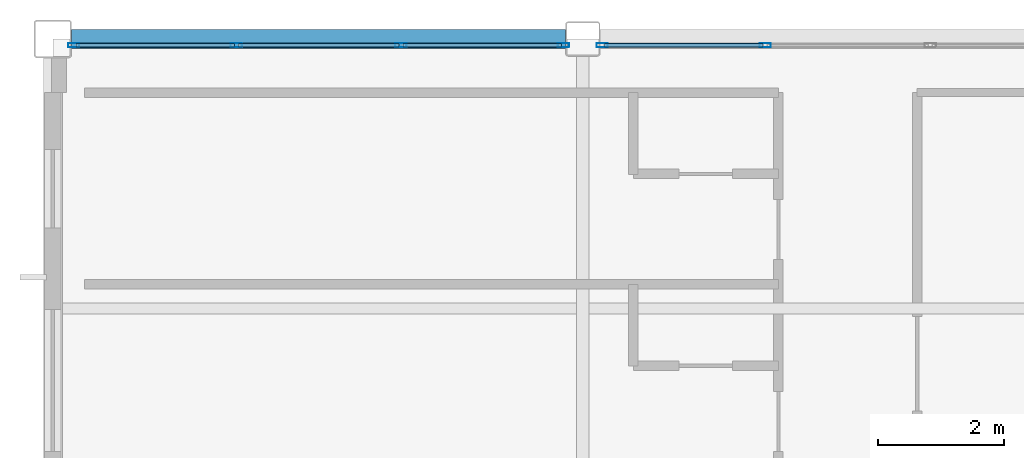
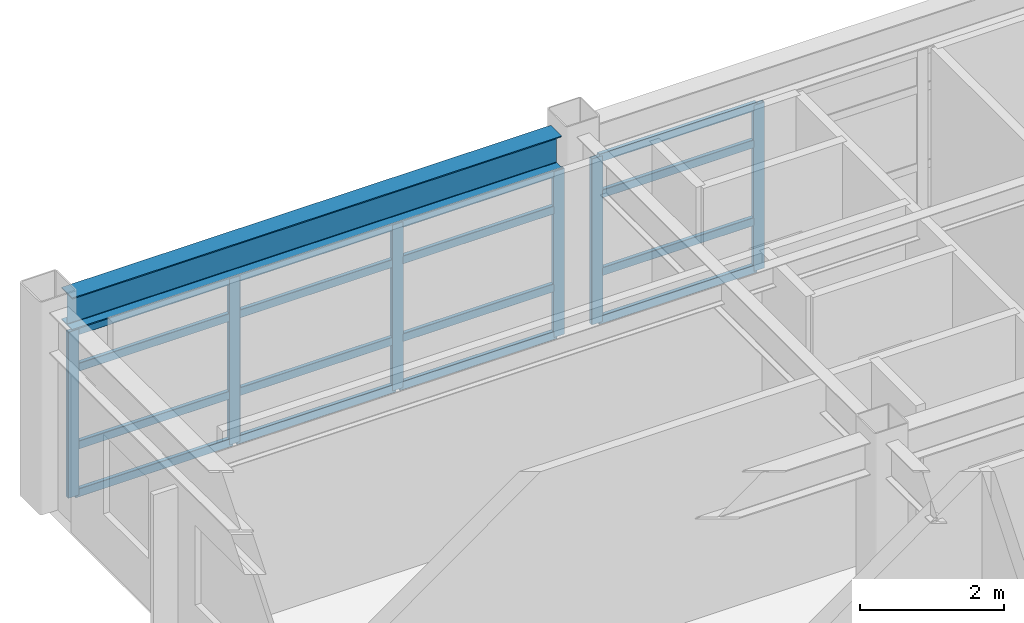
# One storey, part 18 of 38: 22 members, 1 beam, 2 elements without a shape of their own.
"""IFC4 building model written with IfcOpenShell, lengths in metres."""

from ifc_helpers import new_model, si_unit, direction, frame, origin, origin_2d, place, context, subcontext, project, spatial, hollow_rectangle, i_section, extrude, material, layer, layer_set, material_profile, profile_set, type_object, element, aggregate, save


model = new_model("IFC4")

# Units and contexts
model_context = context("Model", 3, precision=1e-05, world=origin(), true_north=direction((0.0, 1.0)))
body_context = subcontext(model_context, "Body", "Model", "MODEL_VIEW")
ifc_project = project(units=[si_unit("LENGTHUNIT", "METRE"), si_unit("AREAUNIT", "SQUARE_METRE"), si_unit("VOLUMEUNIT", "CUBIC_METRE"), si_unit("PLANEANGLEUNIT", "RADIAN"), si_unit("MASSUNIT", "GRAM", prefix="KILO")], contexts=[model_context])

# Site, building, storey
site_placement = place(None, origin())
site = spatial("IfcSite", under=ifc_project, at=site_placement, CompositionType="ELEMENT")
building_placement = place(site_placement, origin())
building = spatial("IfcBuilding", under=site, at=building_placement, Name="Kazehara Bluff Congress Hotel", CompositionType="ELEMENT")
storey_placement = place(building_placement, frame((0.0, 0.0, 24.60009765625)))
storey = spatial("IfcBuildingStorey", under=building, at=storey_placement, Name="L05", CompositionType="ELEMENT", Elevation=24.60009765625)

# Curtain wall, members
ifc_material_1 = material(Name="Anodised aluminium", Category="aluminium")
ifc_layer_1 = layer(ifc_material_1, 0.159912109375)
ifc_layer_set_1 = layer_set([ifc_layer_1], Name="Anodised aluminium")
curtain_wall_type_1 = type_object("IfcCurtainWallType", Name="TP-CW-171", PredefinedType="NOTDEFINED", material=ifc_layer_set_1)
curtain_wall_1_placement = place(storey_placement, origin())
curtain_wall_1 = element("IfcCurtainWall", 1, at=curtain_wall_1_placement, inside=storey, type_object=curtain_wall_type_1, Name="L05 curtain wall CW-171 CW-ENC-V5-L05-14791-10535", PredefinedType="NOTDEFINED")
ifc_material_2 = material(Name="Anodised aluminium", Category="aluminium")
ifc_material_profile_1 = material_profile(ifc_material_2, hollow_rectangle(XDim=0.06494140625, YDim=0.179931640625, WallThickness=0.00390625, InnerFilletRadius=0.00390625, OuterFilletRadius=0.008056640625, at=origin_2d()))
ifc_profile_set_1 = profile_set([ifc_material_profile_1], Name="Anodised aluminium")
member_type_1 = type_object("IfcMemberType", Name="TP-CWM-02", PredefinedType="MULLION", material=ifc_profile_set_1)
member_1_placement = place(storey_placement, frame((144.032470703125, 105.35009765625, 0.0), z_axis=(0.0, 0.0, 1.0), x_axis=(0.0, 1.0, 0.0)))
member_1 = element("IfcMember", 2, at=member_1_placement, type_object=member_type_1, Name="CW-171 mullion 1", PredefinedType="MULLION", context=body_context, shape_type="SweptSolid", body=[
    extrude(hollow_rectangle(XDim=0.06494140625, YDim=0.179931640625, WallThickness=0.00390625, InnerFilletRadius=0.00390625, OuterFilletRadius=0.008056640625, at=origin_2d()), origin(), (0.0, 0.0, 1.0), 2.804931640625),
])
member_2_placement = place(storey_placement, frame((146.6083984375, 105.35009765625, 0.0), z_axis=(0.0, 0.0, 1.0), x_axis=(0.0, 1.0, 0.0)))
member_2 = element("IfcMember", 3, at=member_2_placement, type_object=member_type_1, Name="CW-171 mullion 2", PredefinedType="MULLION", context=body_context, shape_type="SweptSolid", body=[
    extrude(hollow_rectangle(XDim=0.06494140625, YDim=0.179931640625, WallThickness=0.00390625, InnerFilletRadius=0.00390625, OuterFilletRadius=0.008056640625, at=origin_2d()), origin(), (0.0, 0.0, 1.0), 2.804931640625),
])
member_3_placement = place(storey_placement, frame((149.216552734375, 105.35009765625, 0.0), z_axis=(0.0, 0.0, 1.0), x_axis=(0.0, 1.0, 0.0)))
member_3 = element("IfcMember", 4, at=member_3_placement, type_object=member_type_1, Name="CW-171 mullion 3", PredefinedType="MULLION", context=body_context, shape_type="SweptSolid", body=[
    extrude(hollow_rectangle(XDim=0.06494140625, YDim=0.179931640625, WallThickness=0.00390625, InnerFilletRadius=0.00390625, OuterFilletRadius=0.008056640625, at=origin_2d()), origin(), (0.0, 0.0, 1.0), 2.804931640625),
])
member_4_placement = place(storey_placement, frame((151.79248046875, 105.35009765625, 0.0), z_axis=(0.0, 0.0, 1.0), x_axis=(0.0, 1.0, 0.0)))
member_4 = element("IfcMember", 5, at=member_4_placement, type_object=member_type_1, Name="CW-171 mullion 4", PredefinedType="MULLION", context=body_context, shape_type="SweptSolid", body=[
    extrude(hollow_rectangle(XDim=0.06494140625, YDim=0.179931640625, WallThickness=0.00390625, InnerFilletRadius=0.00390625, OuterFilletRadius=0.008056640625, at=origin_2d()), origin(), (0.0, 0.0, 1.0), 2.804931640625),
])

ifc_material_3 = material(Name="Anodised aluminium", Category="aluminium")
ifc_layer_2 = layer(ifc_material_3, 0.159912109375)
ifc_layer_set_2 = layer_set([ifc_layer_2], Name="Anodised aluminium")
curtain_wall_type_2 = type_object("IfcCurtainWallType", Name="TP-CW-172", PredefinedType="NOTDEFINED", material=ifc_layer_set_2)
curtain_wall_2_placement = place(storey_placement, origin())
curtain_wall_2 = element("IfcCurtainWall", 6, at=curtain_wall_2_placement, inside=storey, type_object=curtain_wall_type_2, Name="L05 curtain wall CW-172 CW-ENC-V5-L05-15630-10535", PredefinedType="NOTDEFINED")
member_5_placement = place(storey_placement, frame((152.407470703125, 105.35009765625, 0.0), z_axis=(0.0, 0.0, 1.0), x_axis=(0.0, 1.0, 0.0)))
member_5 = element("IfcMember", 7, at=member_5_placement, type_object=member_type_1, Name="CW-172 mullion 1", PredefinedType="MULLION", context=body_context, shape_type="SweptSolid", body=[
    extrude(hollow_rectangle(XDim=0.06494140625, YDim=0.179931640625, WallThickness=0.00390625, InnerFilletRadius=0.00390625, OuterFilletRadius=0.008056640625, at=origin_2d()), origin(), (0.0, 0.0, 1.0), 2.804931640625),
])
member_6_placement = place(storey_placement, frame((154.99169921875, 105.35009765625, 0.0), z_axis=(0.0, 0.0, 1.0), x_axis=(0.0, 1.0, 0.0)))
member_6 = element("IfcMember", 8, at=member_6_placement, type_object=member_type_1, Name="CW-172 mullion 2", PredefinedType="MULLION", context=body_context, shape_type="SweptSolid", body=[
    extrude(hollow_rectangle(XDim=0.06494140625, YDim=0.179931640625, WallThickness=0.00390625, InnerFilletRadius=0.00390625, OuterFilletRadius=0.008056640625, at=origin_2d()), origin(), (0.0, 0.0, 1.0), 2.804931640625),
])

# Member
ifc_material_4 = material(Name="Anodised aluminium", Category="aluminium")
ifc_material_profile_2 = material_profile(ifc_material_4, hollow_rectangle(XDim=0.06494140625, YDim=0.139892578125, WallThickness=0.00390625, InnerFilletRadius=0.00390625, OuterFilletRadius=0.008056640625, at=origin_2d()))
ifc_profile_set_2 = profile_set([ifc_material_profile_2], Name="Anodised aluminium")
member_type_2 = type_object("IfcMemberType", Name="TP-CWT-02", PredefinedType="USERDEFINED", material=ifc_profile_set_2)
member_7_placement = place(storey_placement, frame((144.06494140625, 105.35009765625, 0.032470703125), z_axis=(1.0, 0.0, 0.0), x_axis=(0.0, 1.0, 0.0)))
member_7 = element("IfcMember", 9, at=member_7_placement, type_object=member_type_2, Name="CW-171 transom 1.1", ObjectType="TRANSOM", PredefinedType="USERDEFINED", context=body_context, shape_type="SweptSolid", body=[
    extrude(hollow_rectangle(XDim=0.06494140625, YDim=0.139892578125, WallThickness=0.00390625, InnerFilletRadius=0.00390625, OuterFilletRadius=0.008056640625, at=origin_2d()), origin(), (0.0, 0.0, 1.0), 2.510986328125),
])

member_8_placement = place(storey_placement, frame((144.06494140625, 105.35009765625, 0.83984375), z_axis=(1.0, 0.0, 0.0), x_axis=(0.0, 1.0, 0.0)))
member_8 = element("IfcMember", 10, at=member_8_placement, type_object=member_type_2, Name="CW-171 transom 1.2", ObjectType="TRANSOM", PredefinedType="USERDEFINED", context=body_context, shape_type="SweptSolid", body=[
    extrude(hollow_rectangle(XDim=0.06494140625, YDim=0.139892578125, WallThickness=0.00390625, InnerFilletRadius=0.00390625, OuterFilletRadius=0.008056640625, at=origin_2d()), origin(), (0.0, 0.0, 1.0), 2.510986328125),
])

member_9_placement = place(storey_placement, frame((144.06494140625, 105.35009765625, 2.15478515625), z_axis=(1.0, 0.0, 0.0), x_axis=(0.0, 1.0, 0.0)))
member_9 = element("IfcMember", 11, at=member_9_placement, type_object=member_type_2, Name="CW-171 transom 1.3", ObjectType="TRANSOM", PredefinedType="USERDEFINED", context=body_context, shape_type="SweptSolid", body=[
    extrude(hollow_rectangle(XDim=0.06494140625, YDim=0.139892578125, WallThickness=0.00390625, InnerFilletRadius=0.00390625, OuterFilletRadius=0.008056640625, at=origin_2d()), origin(), (0.0, 0.0, 1.0), 2.510986328125),
])

member_10_placement = place(storey_placement, frame((144.06494140625, 105.35009765625, 2.7724609375), z_axis=(1.0, 0.0, 0.0), x_axis=(0.0, 1.0, 0.0)))
member_10 = element("IfcMember", 12, at=member_10_placement, type_object=member_type_2, Name="CW-171 transom 1.4", ObjectType="TRANSOM", PredefinedType="USERDEFINED", context=body_context, shape_type="SweptSolid", body=[
    extrude(hollow_rectangle(XDim=0.06494140625, YDim=0.139892578125, WallThickness=0.00390625, InnerFilletRadius=0.00390625, OuterFilletRadius=0.008056640625, at=origin_2d()), origin(), (0.0, 0.0, 1.0), 2.510986328125),
])

member_11_placement = place(storey_placement, frame((146.640869140625, 105.35009765625, 0.032470703125), z_axis=(1.0, 0.0, 0.0), x_axis=(0.0, 1.0, 0.0)))
member_11 = element("IfcMember", 13, at=member_11_placement, type_object=member_type_2, Name="CW-171 transom 2.1", ObjectType="TRANSOM", PredefinedType="USERDEFINED", context=body_context, shape_type="SweptSolid", body=[
    extrude(hollow_rectangle(XDim=0.06494140625, YDim=0.139892578125, WallThickness=0.00390625, InnerFilletRadius=0.00390625, OuterFilletRadius=0.008056640625, at=origin_2d()), origin(), (0.0, 0.0, 1.0), 2.543212890625),
])

member_12_placement = place(storey_placement, frame((146.640869140625, 105.35009765625, 0.83984375), z_axis=(1.0, 0.0, 0.0), x_axis=(0.0, 1.0, 0.0)))
member_12 = element("IfcMember", 14, at=member_12_placement, type_object=member_type_2, Name="CW-171 transom 2.2", ObjectType="TRANSOM", PredefinedType="USERDEFINED", context=body_context, shape_type="SweptSolid", body=[
    extrude(hollow_rectangle(XDim=0.06494140625, YDim=0.139892578125, WallThickness=0.00390625, InnerFilletRadius=0.00390625, OuterFilletRadius=0.008056640625, at=origin_2d()), origin(), (0.0, 0.0, 1.0), 2.543212890625),
])

member_13_placement = place(storey_placement, frame((146.640869140625, 105.35009765625, 2.15478515625), z_axis=(1.0, 0.0, 0.0), x_axis=(0.0, 1.0, 0.0)))
member_13 = element("IfcMember", 15, at=member_13_placement, type_object=member_type_2, Name="CW-171 transom 2.3", ObjectType="TRANSOM", PredefinedType="USERDEFINED", context=body_context, shape_type="SweptSolid", body=[
    extrude(hollow_rectangle(XDim=0.06494140625, YDim=0.139892578125, WallThickness=0.00390625, InnerFilletRadius=0.00390625, OuterFilletRadius=0.008056640625, at=origin_2d()), origin(), (0.0, 0.0, 1.0), 2.543212890625),
])

member_14_placement = place(storey_placement, frame((146.640869140625, 105.35009765625, 2.7724609375), z_axis=(1.0, 0.0, 0.0), x_axis=(0.0, 1.0, 0.0)))
member_14 = element("IfcMember", 16, at=member_14_placement, type_object=member_type_2, Name="CW-171 transom 2.4", ObjectType="TRANSOM", PredefinedType="USERDEFINED", context=body_context, shape_type="SweptSolid", body=[
    extrude(hollow_rectangle(XDim=0.06494140625, YDim=0.139892578125, WallThickness=0.00390625, InnerFilletRadius=0.00390625, OuterFilletRadius=0.008056640625, at=origin_2d()), origin(), (0.0, 0.0, 1.0), 2.543212890625),
])

member_15_placement = place(storey_placement, frame((149.249267578125, 105.35009765625, 0.032470703125), z_axis=(1.0, 0.0, 0.0), x_axis=(0.0, 1.0, 0.0)))
member_15 = element("IfcMember", 17, at=member_15_placement, type_object=member_type_2, Name="CW-171 transom 3.1", ObjectType="TRANSOM", PredefinedType="USERDEFINED", context=body_context, shape_type="SweptSolid", body=[
    extrude(hollow_rectangle(XDim=0.06494140625, YDim=0.139892578125, WallThickness=0.00390625, InnerFilletRadius=0.00390625, OuterFilletRadius=0.008056640625, at=origin_2d()), origin(), (0.0, 0.0, 1.0), 2.5107421875),
])

member_16_placement = place(storey_placement, frame((149.249267578125, 105.35009765625, 0.83984375), z_axis=(1.0, 0.0, 0.0), x_axis=(0.0, 1.0, 0.0)))
member_16 = element("IfcMember", 18, at=member_16_placement, type_object=member_type_2, Name="CW-171 transom 3.2", ObjectType="TRANSOM", PredefinedType="USERDEFINED", context=body_context, shape_type="SweptSolid", body=[
    extrude(hollow_rectangle(XDim=0.06494140625, YDim=0.139892578125, WallThickness=0.00390625, InnerFilletRadius=0.00390625, OuterFilletRadius=0.008056640625, at=origin_2d()), origin(), (0.0, 0.0, 1.0), 2.5107421875),
])

member_17_placement = place(storey_placement, frame((149.249267578125, 105.35009765625, 2.15478515625), z_axis=(1.0, 0.0, 0.0), x_axis=(0.0, 1.0, 0.0)))
member_17 = element("IfcMember", 19, at=member_17_placement, type_object=member_type_2, Name="CW-171 transom 3.3", ObjectType="TRANSOM", PredefinedType="USERDEFINED", context=body_context, shape_type="SweptSolid", body=[
    extrude(hollow_rectangle(XDim=0.06494140625, YDim=0.139892578125, WallThickness=0.00390625, InnerFilletRadius=0.00390625, OuterFilletRadius=0.008056640625, at=origin_2d()), origin(), (0.0, 0.0, 1.0), 2.5107421875),
])

member_18_placement = place(storey_placement, frame((149.249267578125, 105.35009765625, 2.7724609375), z_axis=(1.0, 0.0, 0.0), x_axis=(0.0, 1.0, 0.0)))
member_18 = element("IfcMember", 20, at=member_18_placement, type_object=member_type_2, Name="CW-171 transom 3.4", ObjectType="TRANSOM", PredefinedType="USERDEFINED", context=body_context, shape_type="SweptSolid", body=[
    extrude(hollow_rectangle(XDim=0.06494140625, YDim=0.139892578125, WallThickness=0.00390625, InnerFilletRadius=0.00390625, OuterFilletRadius=0.008056640625, at=origin_2d()), origin(), (0.0, 0.0, 1.0), 2.5107421875),
])

aggregate(curtain_wall_1, [member_1, member_2, member_3, member_4, member_7, member_8, member_9, member_10, member_11, member_12, member_13, member_14, member_15, member_16, member_17, member_18])

member_19_placement = place(storey_placement, frame((152.43994140625, 105.35009765625, 0.032470703125), z_axis=(1.0, 0.0, 0.0), x_axis=(0.0, 1.0, 0.0)))
member_19 = element("IfcMember", 21, at=member_19_placement, type_object=member_type_2, Name="CW-172 transom 1.1", ObjectType="TRANSOM", PredefinedType="USERDEFINED", context=body_context, shape_type="SweptSolid", body=[
    extrude(hollow_rectangle(XDim=0.06494140625, YDim=0.139892578125, WallThickness=0.00390625, InnerFilletRadius=0.00390625, OuterFilletRadius=0.008056640625, at=origin_2d()), origin(), (0.0, 0.0, 1.0), 2.519287109375),
])

member_20_placement = place(storey_placement, frame((152.43994140625, 105.35009765625, 0.83984375), z_axis=(1.0, 0.0, 0.0), x_axis=(0.0, 1.0, 0.0)))
member_20 = element("IfcMember", 22, at=member_20_placement, type_object=member_type_2, Name="CW-172 transom 1.2", ObjectType="TRANSOM", PredefinedType="USERDEFINED", context=body_context, shape_type="SweptSolid", body=[
    extrude(hollow_rectangle(XDim=0.06494140625, YDim=0.139892578125, WallThickness=0.00390625, InnerFilletRadius=0.00390625, OuterFilletRadius=0.008056640625, at=origin_2d()), origin(), (0.0, 0.0, 1.0), 2.519287109375),
])

member_21_placement = place(storey_placement, frame((152.43994140625, 105.35009765625, 2.15478515625), z_axis=(1.0, 0.0, 0.0), x_axis=(0.0, 1.0, 0.0)))
member_21 = element("IfcMember", 23, at=member_21_placement, type_object=member_type_2, Name="CW-172 transom 1.3", ObjectType="TRANSOM", PredefinedType="USERDEFINED", context=body_context, shape_type="SweptSolid", body=[
    extrude(hollow_rectangle(XDim=0.06494140625, YDim=0.139892578125, WallThickness=0.00390625, InnerFilletRadius=0.00390625, OuterFilletRadius=0.008056640625, at=origin_2d()), origin(), (0.0, 0.0, 1.0), 2.519287109375),
])

member_22_placement = place(storey_placement, frame((152.43994140625, 105.35009765625, 2.7724609375), z_axis=(1.0, 0.0, 0.0), x_axis=(0.0, 1.0, 0.0)))
member_22 = element("IfcMember", 24, at=member_22_placement, type_object=member_type_2, Name="CW-172 transom 1.4", ObjectType="TRANSOM", PredefinedType="USERDEFINED", context=body_context, shape_type="SweptSolid", body=[
    extrude(hollow_rectangle(XDim=0.06494140625, YDim=0.139892578125, WallThickness=0.00390625, InnerFilletRadius=0.00390625, OuterFilletRadius=0.008056640625, at=origin_2d()), origin(), (0.0, 0.0, 1.0), 2.519287109375),
])

aggregate(curtain_wall_2, [member_5, member_6, member_19, member_20, member_21, member_22])

# Beam
ifc_material_5 = material(Name="Steel SN490B", Category="steel")
ifc_material_profile_3 = material_profile(ifc_material_5, i_section(OverallWidth=0.300048828125, OverallDepth=0.550048828125, WebThickness=0.010986328125, FlangeThickness=0.01806640625, FilletRadius=0.012939453125, at=origin_2d()))
ifc_profile_set_3 = profile_set([ifc_material_profile_3], Name="Steel SN490B")
beam_type = type_object("IfcBeamType", Name="TP-G-12", PredefinedType="BEAM", material=ifc_profile_set_3)
beam_placement = place(storey_placement, frame((144.0, 105.449951171875, 3.10498046875), z_axis=(1.0, 0.0, 0.0), x_axis=(0.0, 1.0, 0.0)))
element("IfcBeam", 25, at=beam_placement, inside=storey, type_object=beam_type, Name="L05 girder G-12 79", PredefinedType="BEAM", context=body_context, shape_type="SweptSolid", body=[
    extrude(i_section(OverallWidth=0.300048828125, OverallDepth=0.550048828125, WebThickness=0.010986328125, FlangeThickness=0.01806640625, FilletRadius=0.012939453125, at=origin_2d()), origin(), (0.0, 0.0, 1.0), 7.824951171875),
])

save(model, "model.ifc")
